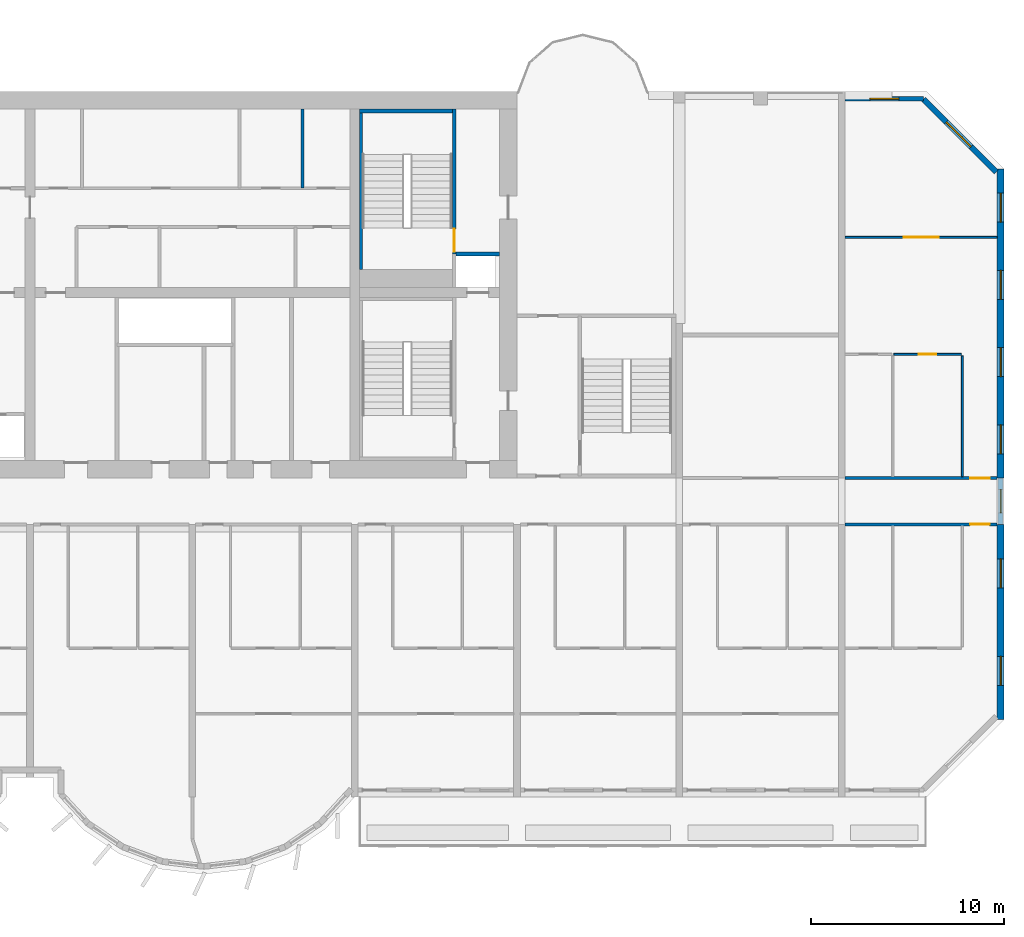
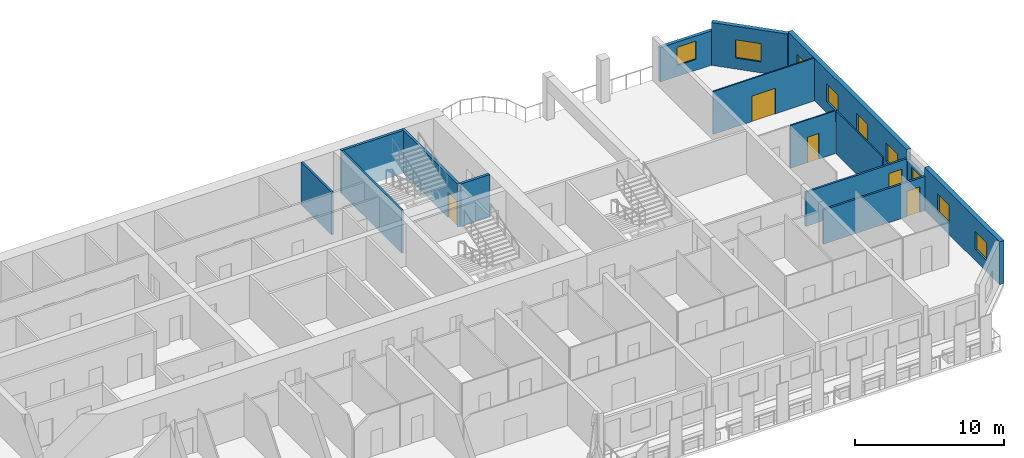
# One storey, part 11 of 15: 15 walls, 9 windows, 5 doors, 14 openings.
"""IFC4 building model written with IfcOpenShell, lengths in metres."""

from ifc_helpers import new_model, si_unit, direction, frame, frame_2d, origin, place, context, subcontext, project, spatial, rectangle, extrude, source, transform, mapped, material, layer, layer_set, type_object, element, fill, save


model = new_model("IFC4")

# Units and contexts
model_context = context("Model", 3, precision=1e-05, world=origin(), true_north=direction((0.0, 1.0)))
body_context = subcontext(model_context, "Body", "Model", "MODEL_VIEW")
ifc_project = project(units=[si_unit("LENGTHUNIT", "METRE"), si_unit("AREAUNIT", "SQUARE_METRE"), si_unit("VOLUMEUNIT", "CUBIC_METRE"), si_unit("PLANEANGLEUNIT", "RADIAN"), si_unit("MASSUNIT", "GRAM", prefix="KILO")], contexts=[model_context])

# Site, building, storey
site_placement = place(None, origin())
site = spatial("IfcSite", under=ifc_project, at=site_placement, CompositionType="ELEMENT")
building_placement = place(site_placement, origin())
building = spatial("IfcBuilding", under=site, at=building_placement, Name="Vanashikhar Sky Hotel", CompositionType="ELEMENT")
storey_placement = place(building_placement, frame((0.0, 0.0, 137.0)))
storey = spatial("IfcBuildingStorey", under=building, at=storey_placement, Name="L33", CompositionType="ELEMENT", Elevation=137.0)

# Wall, openings, windows
ifc_material_1 = material(Name="Concrete M70", Category="concrete")
ifc_layer_1 = layer(ifc_material_1, 0.35009765625)
ifc_layer_set_1 = layer_set([ifc_layer_1], Name="RC shear wall 350 Concrete M70")
wall_type_1 = type_object("IfcWallType", Name="RC shear wall 350 Concrete M70", PredefinedType="SHEAR", material=ifc_layer_set_1)
shared_shape_1 = source(origin(), body_context, "Body", "SweptSolid", [
    extrude(rectangle(XDim=10.10009765625, YDim=0.35009765625, at=frame_2d((5.050048828125, 0.0))), origin(), (0.0, 0.0, 1.0), 3.52001953125),
])
wall_1_placement = place(storey_placement, frame((100.625, 9.5, 0.0), z_axis=(0.0, 0.0, 1.0), x_axis=(0.0, 1.0, 0.0)))
wall_1 = element("IfcWall", 1, at=wall_1_placement, inside=storey, type_object=wall_type_1, Name="CW-L33-XW13-1", PredefinedType="SHEAR", context=body_context, shape_type="MappedRepresentation", body=[
    mapped(shared_shape_1, transform((0.0, 0.0, 0.0), scale=1.0)),
])
shared_shape_2 = source(origin(), body_context, "Body", "SweptSolid", [
    extrude(rectangle(XDim=1.5, YDim=1.5, at=frame_2d((0.75, 0.75))), frame((0.0, 0.18505859375, 0.0), z_axis=(0.0, -1.0, 0.0), x_axis=(1.0, 0.0, 0.0)), (0.0, 0.0, 1.0), 0.3701171875),
])
opening_1_placement = place(wall_1_placement, frame((1.77490234375, 0.0, 0.89990234375)))
opening_1 = element("IfcOpeningElement", 2, at=opening_1_placement, cuts=wall_1, Name="Opening WN-1", PredefinedType="OPENING", context=body_context, shape_type="MappedRepresentation", body=[
    mapped(shared_shape_2, transform((0.0, 0.0, 0.0), scale=1.0)),
])
opening_2_placement = place(wall_1_placement, frame((6.824951171875, 0.0, 0.89990234375)))
opening_2 = element("IfcOpeningElement", 3, at=opening_2_placement, cuts=wall_1, Name="Opening WN-1", PredefinedType="OPENING", context=body_context, shape_type="MappedRepresentation", body=[
    mapped(shared_shape_2, transform((0.0, 0.0, 0.0), scale=1.0)),
])
ifc_material_2 = material(Name="Glass", Category="glass")
window_type_1 = type_object("IfcWindowType", Name="Window 1500 x 1500", PartitioningType="SINGLE_PANEL", PredefinedType="WINDOW", material=ifc_material_2)
shared_shape_3 = source(origin(), body_context, "Body", "SweptSolid", [
    extrude(rectangle(XDim=1.5, YDim=1.5, at=frame_2d((0.75, 0.75))), frame((0.0, 0.030029296875, 0.0), z_axis=(0.0, -1.0, 0.0), x_axis=(1.0, 0.0, 0.0)), (0.0, 0.0, 1.0), 0.06005859375),
])
window_1_placement = place(opening_1_placement, origin())
window_1 = element("IfcWindow", 4, at=window_1_placement, inside=storey, type_object=window_type_1, Name="Window WN-1", OverallHeight=1.5, OverallWidth=1.5, PartitioningType="SINGLE_PANEL", PredefinedType="WINDOW", context=body_context, shape_type="MappedRepresentation", body=[
    mapped(shared_shape_3, transform((0.0, 0.0, 0.0), scale=1.0)),
])
fill(opening_1, window_1)
window_2_placement = place(opening_2_placement, origin())
window_2 = element("IfcWindow", 5, at=window_2_placement, inside=storey, type_object=window_type_1, Name="Window WN-1", OverallHeight=1.5, OverallWidth=1.5, PartitioningType="SINGLE_PANEL", PredefinedType="WINDOW", context=body_context, shape_type="MappedRepresentation", body=[
    mapped(shared_shape_3, transform((0.0, 0.0, 0.0), scale=1.0)),
])
fill(opening_2, window_2)

shared_shape_4 = source(origin(), body_context, "Body", "SweptSolid", [
    extrude(rectangle(XDim=16.0, YDim=0.35009765625, at=frame_2d((8.0, 0.0))), origin(), (0.0, 0.0, 1.0), 3.52001953125),
])
wall_2_placement = place(storey_placement, frame((100.625, 22.0, 0.0), z_axis=(0.0, 0.0, 1.0), x_axis=(0.0, 1.0, 0.0)))
wall_2 = element("IfcWall", 6, at=wall_2_placement, inside=storey, type_object=wall_type_1, Name="CW-L33-XW13-2", PredefinedType="SHEAR", context=body_context, shape_type="MappedRepresentation", body=[
    mapped(shared_shape_4, transform((0.0, 0.0, 0.0), scale=1.0)),
])
opening_3_placement = place(wall_2_placement, frame((1.25, 0.0, 0.89990234375)))
opening_3 = element("IfcOpeningElement", 7, at=opening_3_placement, cuts=wall_2, Name="Opening WN-1", PredefinedType="OPENING", context=body_context, shape_type="MappedRepresentation", body=[
    mapped(shared_shape_2, transform((0.0, 0.0, 0.0), scale=1.0)),
])
opening_4_placement = place(wall_2_placement, frame((5.25, 0.0, 0.89990234375)))
opening_4 = element("IfcOpeningElement", 8, at=opening_4_placement, cuts=wall_2, Name="Opening WN-1", PredefinedType="OPENING", context=body_context, shape_type="MappedRepresentation", body=[
    mapped(shared_shape_2, transform((0.0, 0.0, 0.0), scale=1.0)),
])
opening_5_placement = place(wall_2_placement, frame((9.25, 0.0, 0.89990234375)))
opening_5 = element("IfcOpeningElement", 9, at=opening_5_placement, cuts=wall_2, Name="Opening WN-1", PredefinedType="OPENING", context=body_context, shape_type="MappedRepresentation", body=[
    mapped(shared_shape_2, transform((0.0, 0.0, 0.0), scale=1.0)),
])
opening_6_placement = place(wall_2_placement, frame((13.25, 0.0, 0.89990234375)))
opening_6 = element("IfcOpeningElement", 10, at=opening_6_placement, cuts=wall_2, Name="Opening WN-1", PredefinedType="OPENING", context=body_context, shape_type="MappedRepresentation", body=[
    mapped(shared_shape_2, transform((0.0, 0.0, 0.0), scale=1.0)),
])
window_3_placement = place(opening_3_placement, origin())
window_3 = element("IfcWindow", 11, at=window_3_placement, inside=storey, type_object=window_type_1, Name="Window WN-1", OverallHeight=1.5, OverallWidth=1.5, PartitioningType="SINGLE_PANEL", PredefinedType="WINDOW", context=body_context, shape_type="MappedRepresentation", body=[
    mapped(shared_shape_3, transform((0.0, 0.0, 0.0), scale=1.0)),
])
fill(opening_3, window_3)
window_4_placement = place(opening_4_placement, origin())
window_4 = element("IfcWindow", 12, at=window_4_placement, inside=storey, type_object=window_type_1, Name="Window WN-1", OverallHeight=1.5, OverallWidth=1.5, PartitioningType="SINGLE_PANEL", PredefinedType="WINDOW", context=body_context, shape_type="MappedRepresentation", body=[
    mapped(shared_shape_3, transform((0.0, 0.0, 0.0), scale=1.0)),
])
fill(opening_4, window_4)
window_5_placement = place(opening_5_placement, origin())
window_5 = element("IfcWindow", 13, at=window_5_placement, inside=storey, type_object=window_type_1, Name="Window WN-1", OverallHeight=1.5, OverallWidth=1.5, PartitioningType="SINGLE_PANEL", PredefinedType="WINDOW", context=body_context, shape_type="MappedRepresentation", body=[
    mapped(shared_shape_3, transform((0.0, 0.0, 0.0), scale=1.0)),
])
fill(opening_5, window_5)
window_6_placement = place(opening_6_placement, origin())
window_6 = element("IfcWindow", 14, at=window_6_placement, inside=storey, type_object=window_type_1, Name="Window WN-1", OverallHeight=1.5, OverallWidth=1.5, PartitioningType="SINGLE_PANEL", PredefinedType="WINDOW", context=body_context, shape_type="MappedRepresentation", body=[
    mapped(shared_shape_3, transform((0.0, 0.0, 0.0), scale=1.0)),
])
fill(opening_6, window_6)

# Wall, opening, window
ifc_material_3 = material(Name="Concrete M50", Category="concrete")
ifc_layer_2 = layer(ifc_material_3, 0.300048828125)
ifc_layer_set_2 = layer_set([ifc_layer_2], Name="Lobe wall 300")
wall_type_2 = type_object("IfcWallType", Name="Lobe wall 300", PredefinedType="SOLIDWALL", material=ifc_layer_set_2)
shared_shape_5 = source(origin(), body_context, "Body", "SweptSolid", [
    extrude(rectangle(XDim=5.32568359375, YDim=0.300048828125, at=frame_2d((2.662841796875, 0.0))), origin(), (0.0, 0.0, 1.0), 3.52001953125),
])
wall_3_placement = place(storey_placement, frame((100.39990234375, 37.834228515625, 0.0), z_axis=(0.0, 0.0, 1.0), x_axis=(-0.707083859269, 0.707129702361, 0.0)))
wall_3 = element("IfcWall", 15, at=wall_3_placement, inside=storey, type_object=wall_type_2, Name="Corner wall", PredefinedType="SOLIDWALL", context=body_context, shape_type="MappedRepresentation", body=[
    mapped(shared_shape_5, transform((0.0, 0.0, 0.0), scale=1.0)),
])
shared_shape_6 = source(origin(), body_context, "Body", "SweptSolid", [
    extrude(rectangle(XDim=1.800048828125, YDim=1.5, at=frame_2d((0.89990234375, 0.75))), frame((0.0, 0.16015625, 0.0), z_axis=(0.0, -1.0, 0.0), x_axis=(1.0, 0.0, 0.0)), (0.0, 0.0, 1.0), 0.320068359375),
])
opening_7_placement = place(wall_3_placement, frame((1.853759765625, 0.0, 0.89990234375)))
opening_7 = element("IfcOpeningElement", 16, at=opening_7_placement, cuts=wall_3, Name="Opening WN-4", PredefinedType="OPENING", context=body_context, shape_type="MappedRepresentation", body=[
    mapped(shared_shape_6, transform((0.0, 0.0, 0.0), scale=1.0)),
])
window_type_2 = type_object("IfcWindowType", Name="Corner window 1800 x 1500", PartitioningType="SINGLE_PANEL", PredefinedType="WINDOW", material=ifc_material_2)
shared_shape_7 = source(origin(), body_context, "Body", "SweptSolid", [
    extrude(rectangle(XDim=1.800048828125, YDim=1.5, at=frame_2d((0.89990234375, 0.75))), frame((0.0, 0.030029296875, 0.0), z_axis=(0.0, -1.0, 0.0), x_axis=(1.0, 0.0, 0.0)), (0.0, 0.0, 1.0), 0.06005859375),
])
window_7_placement = place(opening_7_placement, origin())
window_7 = element("IfcWindow", 17, at=window_7_placement, inside=storey, type_object=window_type_2, Name="Window WN-4", OverallHeight=1.5, OverallWidth=1.800048828125, PartitioningType="SINGLE_PANEL", PredefinedType="WINDOW", context=body_context, shape_type="MappedRepresentation", body=[
    mapped(shared_shape_7, transform((0.0, 0.0, 0.0), scale=1.0)),
])
fill(opening_7, window_7)

ifc_layer_3 = layer(ifc_material_3, 0.25)
ifc_layer_set_3 = layer_set([ifc_layer_3], Name="Rear and end board-marked wall 250")
wall_type_3 = type_object("IfcWallType", Name="Rear and end board-marked wall 250", PredefinedType="SOLIDWALL", material=ifc_layer_set_3)
shared_shape_8 = source(origin(), body_context, "Body", "SweptSolid", [
    extrude(rectangle(XDim=2.39990234375, YDim=0.25, at=frame_2d((1.199951171875, 0.0))), origin(), (0.0, 0.0, 1.0), 2.6201171875),
])
wall_4_placement = place(storey_placement, frame((100.625, 19.60009765625, 0.0), z_axis=(0.0, 0.0, 1.0), x_axis=(0.0, 1.0, 0.0)))
wall_4 = element("IfcWall", 18, at=wall_4_placement, inside=storey, type_object=wall_type_3, Name="End corridor infill wall", PredefinedType="SOLIDWALL", context=body_context, shape_type="MappedRepresentation", body=[
    mapped(shared_shape_8, transform((0.0, 0.0, 0.0), scale=1.0)),
])
shared_shape_9 = source(origin(), body_context, "Body", "SweptSolid", [
    extrude(rectangle(XDim=1.199951171875, YDim=1.5, at=frame_2d((0.60009765625, 0.75))), frame((0.0, 0.135009765625, 0.0), z_axis=(0.0, -1.0, 0.0), x_axis=(1.0, 0.0, 0.0)), (0.0, 0.0, 1.0), 0.27001953125),
])
opening_8_placement = place(wall_4_placement, frame((0.60009765625, 0.0, 0.89990234375)))
opening_8 = element("IfcOpeningElement", 19, at=opening_8_placement, cuts=wall_4, Name="Opening WN-3", PredefinedType="OPENING", context=body_context, shape_type="MappedRepresentation", body=[
    mapped(shared_shape_9, transform((0.0, 0.0, 0.0), scale=1.0)),
])
window_type_3 = type_object("IfcWindowType", Name="Corridor end window 1200 x 1500", PartitioningType="SINGLE_PANEL", PredefinedType="WINDOW", material=ifc_material_2)
shared_shape_10 = source(origin(), body_context, "Body", "SweptSolid", [
    extrude(rectangle(XDim=1.199951171875, YDim=1.5, at=frame_2d((0.60009765625, 0.75))), frame((0.0, 0.030029296875, 0.0), z_axis=(0.0, -1.0, 0.0), x_axis=(1.0, 0.0, 0.0)), (0.0, 0.0, 1.0), 0.06005859375),
])
window_8_placement = place(opening_8_placement, origin())
window_8 = element("IfcWindow", 20, at=window_8_placement, inside=storey, type_object=window_type_3, Name="Window WN-3", OverallHeight=1.5, OverallWidth=1.199951171875, PartitioningType="SINGLE_PANEL", PredefinedType="WINDOW", context=body_context, shape_type="MappedRepresentation", body=[
    mapped(shared_shape_10, transform((0.0, 0.0, 0.0), scale=1.0)),
])
fill(opening_8, window_8)

shared_shape_11 = source(origin(), body_context, "Body", "SweptSolid", [
    extrude(rectangle(XDim=4.06982421875, YDim=0.25, at=frame_2d((2.034912109375, 0.0))), origin(), (0.0, 0.0, 1.0), 2.820068359375),
])
wall_5_placement = place(storey_placement, frame((96.644775390625, 41.625, 0.0), z_axis=(0.0, 0.0, 1.0), x_axis=(-1.0, 0.0, 0.0)))
wall_5 = element("IfcWall", 21, at=wall_5_placement, inside=storey, type_object=wall_type_3, Name="Rear board-marked wall", PredefinedType="SOLIDWALL", context=body_context, shape_type="MappedRepresentation", body=[
    mapped(shared_shape_11, transform((0.0, 0.0, 0.0), scale=1.0)),
])
shared_shape_12 = source(origin(), body_context, "Body", "SweptSolid", [
    extrude(rectangle(XDim=1.5, YDim=1.5, at=frame_2d((0.75, 0.75))), frame((0.0, 0.135009765625, 0.0), z_axis=(0.0, -1.0, 0.0), x_axis=(1.0, 0.0, 0.0)), (0.0, 0.0, 1.0), 0.27001953125),
])
opening_9_placement = place(wall_5_placement, frame((1.284912109375, 0.0, 0.89990234375)))
opening_9 = element("IfcOpeningElement", 22, at=opening_9_placement, cuts=wall_5, Name="Opening WN-1", PredefinedType="OPENING", context=body_context, shape_type="MappedRepresentation", body=[
    mapped(shared_shape_12, transform((0.0, 0.0, 0.0), scale=1.0)),
])
window_9_placement = place(opening_9_placement, origin())
window_9 = element("IfcWindow", 23, at=window_9_placement, inside=storey, type_object=window_type_1, Name="Window WN-1", OverallHeight=1.5, OverallWidth=1.5, PartitioningType="SINGLE_PANEL", PredefinedType="WINDOW", context=body_context, shape_type="MappedRepresentation", body=[
    mapped(shared_shape_3, transform((0.0, 0.0, 0.0), scale=1.0)),
])
fill(opening_9, window_9)

# Wall
ifc_material_4 = material(Name="Gypsum board partition")
ifc_layer_4 = layer(ifc_material_4, 0.14990234375)
ifc_layer_set_4 = layer_set([ifc_layer_4], Name="Service partition 150")
wall_type_4 = type_object("IfcWallType", Name="Service partition 150", PredefinedType="PARTITIONING", material=ifc_layer_set_4)
shared_shape_13 = source(origin(), body_context, "Body", "SweptSolid", [
    extrude(rectangle(XDim=4.10009765625, YDim=0.14990234375, at=frame_2d((2.050048828125, 0.0))), origin(), (0.0, 0.0, 1.0), 3.52001953125),
])
wall_6_placement = place(storey_placement, frame((64.5048828125, 37.0, 0.0), z_axis=(0.0, 0.0, 1.0), x_axis=(0.0, 1.0, 0.0)))
element("IfcWall", 24, at=wall_6_placement, inside=storey, type_object=wall_type_4, Name="Service partition 150", PredefinedType="PARTITIONING", context=body_context, shape_type="MappedRepresentation", body=[
    mapped(shared_shape_13, transform((0.0, 0.0, 0.0), scale=1.0)),
])

# Wall, opening, door
ifc_layer_5 = layer(ifc_material_3, 0.199951171875)
ifc_layer_set_5 = layer_set([ifc_layer_5], Name="Stair wall 200")
wall_type_5 = type_object("IfcWallType", Name="Stair wall 200", PredefinedType="SOLIDWALL", material=ifc_layer_set_5)
shared_shape_14 = source(origin(), body_context, "Body", "SweptSolid", [
    extrude(rectangle(XDim=7.5, YDim=0.199951171875, at=frame_2d((3.75, 0.0))), origin(), (0.0, 0.0, 1.0), 3.52001953125),
])
wall_7_placement = place(storey_placement, frame((72.35009765625, 33.60009765625, 0.0), z_axis=(0.0, 0.0, 1.0), x_axis=(0.0, 1.0, 0.0)))
wall_7 = element("IfcWall", 25, at=wall_7_placement, inside=storey, type_object=wall_type_5, Name="Stair wall 200", PredefinedType="SOLIDWALL", context=body_context, shape_type="MappedRepresentation", body=[
    mapped(shared_shape_14, transform((0.0, 0.0, 0.0), scale=1.0)),
])
shared_shape_15 = source(origin(), body_context, "Body", "SweptSolid", [
    extrude(rectangle(XDim=1.199951171875, YDim=2.10009765625, at=frame_2d((0.60009765625, 1.050048828125))), frame((0.0, 0.10986328125, 0.0), z_axis=(0.0, -1.0, 0.0), x_axis=(1.0, 0.0, 0.0)), (0.0, 0.0, 1.0), 0.219970703125),
])
opening_10_placement = place(wall_7_placement, frame((0.10009765625, 0.0, 0.0)))
opening_10 = element("IfcOpeningElement", 26, at=opening_10_placement, cuts=wall_7, Name="Opening DC-1", PredefinedType="OPENING", context=body_context, shape_type="MappedRepresentation", body=[
    mapped(shared_shape_15, transform((0.0, 0.0, 0.0), scale=1.0)),
])
ifc_material_5 = material(Name="Steel", Category="steel")
door_type_1 = type_object("IfcDoorType", Name="Stair door 1200 FD120", OperationType="NOTDEFINED", PredefinedType="DOOR", material=ifc_material_5)
shared_shape_16 = source(origin(), body_context, "Body", "SweptSolid", [
    extrude(rectangle(XDim=1.199951171875, YDim=2.10009765625, at=frame_2d((0.60009765625, 1.050048828125))), frame((0.0, 0.02490234375, 0.0), z_axis=(0.0, -1.0, 0.0), x_axis=(1.0, 0.0, 0.0)), (0.0, 0.0, 1.0), 0.050048828125),
])
door_1_placement = place(opening_10_placement, origin())
door_1 = element("IfcDoor", 27, at=door_1_placement, inside=storey, type_object=door_type_1, Name="Stair door 1200 FD120", OperationType="SINGLE_SWING_LEFT", OverallHeight=2.10009765625, OverallWidth=1.199951171875, PredefinedType="DOOR", context=body_context, shape_type="MappedRepresentation", body=[
    mapped(shared_shape_16, transform((0.0, 0.0, 0.0), scale=1.0)),
])
fill(opening_10, door_1)

# Walls
ifc_material_6 = material(Name="Concrete M40", Category="concrete")
ifc_layer_6 = layer(ifc_material_6, 0.199951171875)
ifc_layer_set_6 = layer_set([ifc_layer_6], Name="Shaft wall 200")
wall_type_6 = type_object("IfcWallType", Name="Shaft wall 200", PredefinedType="SOLIDWALL", material=ifc_layer_set_6)
shared_shape_17 = source(origin(), body_context, "Body", "SweptSolid", [
    extrude(rectangle(XDim=2.25, YDim=0.199951171875, at=frame_2d((1.125, 0.0))), origin(), (0.0, 0.0, 1.0), 3.52001953125),
])
wall_8_placement = place(storey_placement, frame((72.449951171875, 33.60009765625, 0.0), z_axis=(0.0, 0.0, 1.0), x_axis=(1.0, 0.0, 0.0)))
element("IfcWall", 28, at=wall_8_placement, inside=storey, type_object=wall_type_6, Name="Shaft wall 200", PredefinedType="SOLIDWALL", context=body_context, shape_type="MappedRepresentation", body=[
    mapped(shared_shape_17, transform((0.0, 0.0, 0.0), scale=1.0)),
])
ifc_layer_7 = layer(ifc_material_3, 0.199951171875)
ifc_layer_set_7 = layer_set([ifc_layer_7], Name="Stair infill wall 200")
wall_type_7 = type_object("IfcWallType", Name="Stair infill wall 200", PredefinedType="SOLIDWALL", material=ifc_layer_set_7)
shared_shape_18 = source(origin(), body_context, "Body", "SweptSolid", [
    extrude(rectangle(XDim=4.800048828125, YDim=0.199951171875, at=frame_2d((2.39990234375, 0.0))), origin(), (0.0, 0.0, 1.0), 3.52001953125),
])
wall_9_placement = place(storey_placement, frame((67.449951171875, 41.0, 0.0), z_axis=(0.0, 0.0, 1.0), x_axis=(1.0, 0.0, 0.0)))
element("IfcWall", 29, at=wall_9_placement, inside=storey, type_object=wall_type_7, Name="Stair infill wall 200", PredefinedType="SOLIDWALL", context=body_context, shape_type="MappedRepresentation", body=[
    mapped(shared_shape_18, transform((0.0, 0.0, 0.0), scale=1.0)),
])
ifc_layer_8 = layer(ifc_material_3, 0.14990234375)
ifc_layer_set_8 = layer_set([ifc_layer_8], Name="Stair infill wall 150")
wall_type_8 = type_object("IfcWallType", Name="Stair infill wall 150", PredefinedType="SOLIDWALL", material=ifc_layer_set_8)
shared_shape_19 = source(origin(), body_context, "Body", "SweptSolid", [
    extrude(rectangle(XDim=8.099853515625, YDim=0.14990234375, at=frame_2d((4.0498046875, 0.0))), origin(), (0.0, 0.0, 1.0), 3.52001953125),
])
wall_10_placement = place(storey_placement, frame((67.52490234375, 32.800048828125, 0.0), z_axis=(0.0, 0.0, 1.0), x_axis=(0.0, 1.0, 0.0)))
element("IfcWall", 30, at=wall_10_placement, inside=storey, type_object=wall_type_8, Name="Stair infill wall 150", PredefinedType="SOLIDWALL", context=body_context, shape_type="MappedRepresentation", body=[
    mapped(shared_shape_19, transform((0.0, 0.0, 0.0), scale=1.0)),
])

# Wall, opening, door
ifc_material_7 = material(Name="Gypsum plasterboard partition")
ifc_layer_9 = layer(ifc_material_7, 0.10009765625)
ifc_layer_set_9 = layer_set([ifc_layer_9], Name="Wet room partition 100")
wall_type_9 = type_object("IfcWallType", Name="Wet room partition 100", PredefinedType="PARTITIONING", material=ifc_layer_set_9)
shared_shape_20 = source(origin(), body_context, "Body", "SweptSolid", [
    extrude(rectangle(XDim=3.5, YDim=0.10009765625, at=frame_2d((1.75, 0.0))), origin(), (0.0, 0.0, 1.0), 3.52001953125),
])
wall_11_placement = place(storey_placement, frame((95.10009765625, 28.39990234375, 0.0), z_axis=(0.0, 0.0, 1.0), x_axis=(1.0, 0.0, 0.0)))
wall_11 = element("IfcWall", 31, at=wall_11_placement, inside=storey, type_object=wall_type_9, Name="W-L33-PW089", PredefinedType="PARTITIONING", context=body_context, shape_type="MappedRepresentation", body=[
    mapped(shared_shape_20, transform((0.0, 0.0, 0.0), scale=1.0)),
])
shared_shape_21 = source(origin(), body_context, "Body", "SweptSolid", [
    extrude(rectangle(XDim=0.89990234375, YDim=2.10009765625, at=frame_2d((0.449951171875, 1.050048828125))), frame((0.0, 0.06005859375, 0.0), z_axis=(0.0, -1.0, 0.0), x_axis=(1.0, 0.0, 0.0)), (0.0, 0.0, 1.0), 0.1201171875),
])
opening_11_placement = place(wall_11_placement, frame((1.300048828125, 0.0, 0.0)))
opening_11 = element("IfcOpeningElement", 32, at=opening_11_placement, cuts=wall_11, Name="Opening D-02", PredefinedType="OPENING", context=body_context, shape_type="MappedRepresentation", body=[
    mapped(shared_shape_21, transform((0.0, 0.0, 0.0), scale=1.0)),
])
ifc_material_8 = material(Name="Timber door", Category="wood")
door_type_2 = type_object("IfcDoorType", Name="Internal door 900", OperationType="NOTDEFINED", PredefinedType="DOOR", material=ifc_material_8)
shared_shape_22 = source(origin(), body_context, "Body", "SweptSolid", [
    extrude(rectangle(XDim=0.89990234375, YDim=2.10009765625, at=frame_2d((0.449951171875, 1.050048828125))), frame((0.0, 0.02490234375, 0.0), z_axis=(0.0, -1.0, 0.0), x_axis=(1.0, 0.0, 0.0)), (0.0, 0.0, 1.0), 0.050048828125),
])
door_2_placement = place(opening_11_placement, origin())
door_2 = element("IfcDoor", 33, at=door_2_placement, inside=storey, type_object=door_type_2, Name="D-L33-054", OperationType="SINGLE_SWING_RIGHT", OverallHeight=2.10009765625, OverallWidth=0.89990234375, PredefinedType="DOOR", context=body_context, shape_type="MappedRepresentation", body=[
    mapped(shared_shape_22, transform((0.0, 0.0, 0.0), scale=1.0)),
])
fill(opening_11, door_2)

# Wall
shared_shape_23 = source(origin(), body_context, "Body", "SweptSolid", [
    extrude(rectangle(XDim=6.25, YDim=0.10009765625, at=frame_2d((3.125, 0.0))), origin(), (0.0, 0.0, 1.0), 3.52001953125),
])
wall_12_placement = place(storey_placement, frame((98.64990234375, 22.074951171875, 0.0), z_axis=(0.0, 0.0, 1.0), x_axis=(0.0, 1.0, 0.0)))
element("IfcWall", 34, at=wall_12_placement, inside=storey, type_object=wall_type_9, Name="W-L33-PW087", PredefinedType="PARTITIONING", context=body_context, shape_type="MappedRepresentation", body=[
    mapped(shared_shape_23, transform((0.0, 0.0, 0.0), scale=1.0)),
])

# Wall, opening, door
ifc_layer_10 = layer(ifc_material_7, 0.14990234375)
ifc_layer_set_10 = layer_set([ifc_layer_10], Name="Corridor and demising partition 150")
wall_type_10 = type_object("IfcWallType", Name="Corridor and demising partition 150", PredefinedType="PARTITIONING", material=ifc_layer_set_10)
shared_shape_24 = source(origin(), body_context, "Body", "SweptSolid", [
    extrude(rectangle(XDim=7.875, YDim=0.14990234375, at=frame_2d((3.9375, 0.0))), origin(), (0.0, 0.0, 1.0), 2.820068359375),
])
wall_13_placement = place(storey_placement, frame((92.574951171875, 19.60009765625, 0.0), z_axis=(0.0, 0.0, 1.0), x_axis=(1.0, 0.0, 0.0)))
wall_13 = element("IfcWall", 35, at=wall_13_placement, inside=storey, type_object=wall_type_10, Name="W-L33-PW069", PredefinedType="PARTITIONING", context=body_context, shape_type="MappedRepresentation", body=[
    mapped(shared_shape_24, transform((0.0, 0.0, 0.0), scale=1.0)),
])
shared_shape_25 = source(origin(), body_context, "Body", "SweptSolid", [
    extrude(rectangle(XDim=1.0, YDim=2.10009765625, at=frame_2d((0.5, 1.050048828125))), frame((0.0, 0.0849609375, 0.0), z_axis=(0.0, -1.0, 0.0), x_axis=(1.0, 0.0, 0.0)), (0.0, 0.0, 1.0), 0.169921875),
])
opening_12_placement = place(wall_13_placement, frame((6.47509765625, 0.0, 0.0)))
opening_12 = element("IfcOpeningElement", 36, at=opening_12_placement, cuts=wall_13, Name="Opening D-01", PredefinedType="OPENING", context=body_context, shape_type="MappedRepresentation", body=[
    mapped(shared_shape_25, transform((0.0, 0.0, 0.0), scale=1.0)),
])
ifc_material_9 = material(Name="Timber fire door", Category="wood")
door_type_3 = type_object("IfcDoorType", Name="Guest entry door 1000 FD30S", OperationType="NOTDEFINED", PredefinedType="DOOR", material=ifc_material_9)
shared_shape_26 = source(origin(), body_context, "Body", "SweptSolid", [
    extrude(rectangle(XDim=1.0, YDim=2.10009765625, at=frame_2d((0.5, 1.050048828125))), frame((0.0, 0.02490234375, 0.0), z_axis=(0.0, -1.0, 0.0), x_axis=(1.0, 0.0, 0.0)), (0.0, 0.0, 1.0), 0.050048828125),
])
door_3_placement = place(opening_12_placement, origin())
door_3 = element("IfcDoor", 37, at=door_3_placement, inside=storey, type_object=door_type_3, Name="D-L33-044", OperationType="SINGLE_SWING_RIGHT", OverallHeight=2.10009765625, OverallWidth=1.0, PredefinedType="DOOR", context=body_context, shape_type="MappedRepresentation", body=[
    mapped(shared_shape_26, transform((0.0, 0.0, 0.0), scale=1.0)),
])
fill(opening_12, door_3)

wall_14_placement = place(storey_placement, frame((92.574951171875, 22.0, 0.0), z_axis=(0.0, 0.0, 1.0), x_axis=(1.0, 0.0, 0.0)))
wall_14 = element("IfcWall", 38, at=wall_14_placement, inside=storey, type_object=wall_type_10, Name="W-L33-PW092", PredefinedType="PARTITIONING", context=body_context, shape_type="MappedRepresentation", body=[
    mapped(shared_shape_24, transform((0.0, 0.0, 0.0), scale=1.0)),
])
opening_13_placement = place(wall_14_placement, frame((6.47509765625, 0.0, 0.0)))
opening_13 = element("IfcOpeningElement", 39, at=opening_13_placement, cuts=wall_14, Name="Opening D-01", PredefinedType="OPENING", context=body_context, shape_type="MappedRepresentation", body=[
    mapped(shared_shape_25, transform((0.0, 0.0, 0.0), scale=1.0)),
])
door_4_placement = place(opening_13_placement, origin())
door_4 = element("IfcDoor", 40, at=door_4_placement, inside=storey, type_object=door_type_3, Name="D-L33-057", OperationType="SINGLE_SWING_RIGHT", OverallHeight=2.10009765625, OverallWidth=1.0, PredefinedType="DOOR", context=body_context, shape_type="MappedRepresentation", body=[
    mapped(shared_shape_26, transform((0.0, 0.0, 0.0), scale=1.0)),
])
fill(opening_13, door_4)

shared_shape_27 = source(origin(), body_context, "Body", "SweptSolid", [
    extrude(rectangle(XDim=7.875, YDim=0.10009765625, at=frame_2d((3.9375, 0.0))), origin(), (0.0, 0.0, 1.0), 3.52001953125),
])
wall_15_placement = place(storey_placement, frame((92.574951171875, 34.452880859375, 0.0), z_axis=(0.0, 0.0, 1.0), x_axis=(1.0, 0.0, 0.0)))
wall_15 = element("IfcWall", 41, at=wall_15_placement, inside=storey, type_object=wall_type_9, Name="W-L33-PW091", PredefinedType="PARTITIONING", context=body_context, shape_type="MappedRepresentation", body=[
    mapped(shared_shape_27, transform((0.0, 0.0, 0.0), scale=1.0)),
])
shared_shape_28 = source(origin(), body_context, "Body", "SweptSolid", [
    extrude(rectangle(XDim=1.800048828125, YDim=2.10009765625, at=frame_2d((0.89990234375, 1.050048828125))), frame((0.0, 0.06005859375, 0.0), z_axis=(0.0, -1.0, 0.0), x_axis=(1.0, 0.0, 0.0)), (0.0, 0.0, 1.0), 0.1201171875),
])
opening_14_placement = place(wall_15_placement, frame((3.037109375, 0.0, 0.0)))
opening_14 = element("IfcOpeningElement", 42, at=opening_14_placement, cuts=wall_15, Name="Opening D-08", PredefinedType="OPENING", context=body_context, shape_type="MappedRepresentation", body=[
    mapped(shared_shape_28, transform((0.0, 0.0, 0.0), scale=1.0)),
])
door_type_4 = type_object("IfcDoorType", Name="Double leaf door 1800", OperationType="NOTDEFINED", PredefinedType="DOOR", material=ifc_material_8)
shared_shape_29 = source(origin(), body_context, "Body", "SweptSolid", [
    extrude(rectangle(XDim=1.800048828125, YDim=2.10009765625, at=frame_2d((0.89990234375, 1.050048828125))), frame((0.0, 0.02490234375, 0.0), z_axis=(0.0, -1.0, 0.0), x_axis=(1.0, 0.0, 0.0)), (0.0, 0.0, 1.0), 0.050048828125),
])
door_5_placement = place(opening_14_placement, origin())
door_5 = element("IfcDoor", 43, at=door_5_placement, inside=storey, type_object=door_type_4, Name="D-L33-056", OperationType="DOUBLE_DOOR_SINGLE_SWING", OverallHeight=2.10009765625, OverallWidth=1.800048828125, PredefinedType="DOOR", context=body_context, shape_type="MappedRepresentation", body=[
    mapped(shared_shape_29, transform((0.0, 0.0, 0.0), scale=1.0)),
])
fill(opening_14, door_5)

save(model, "model.ifc")
